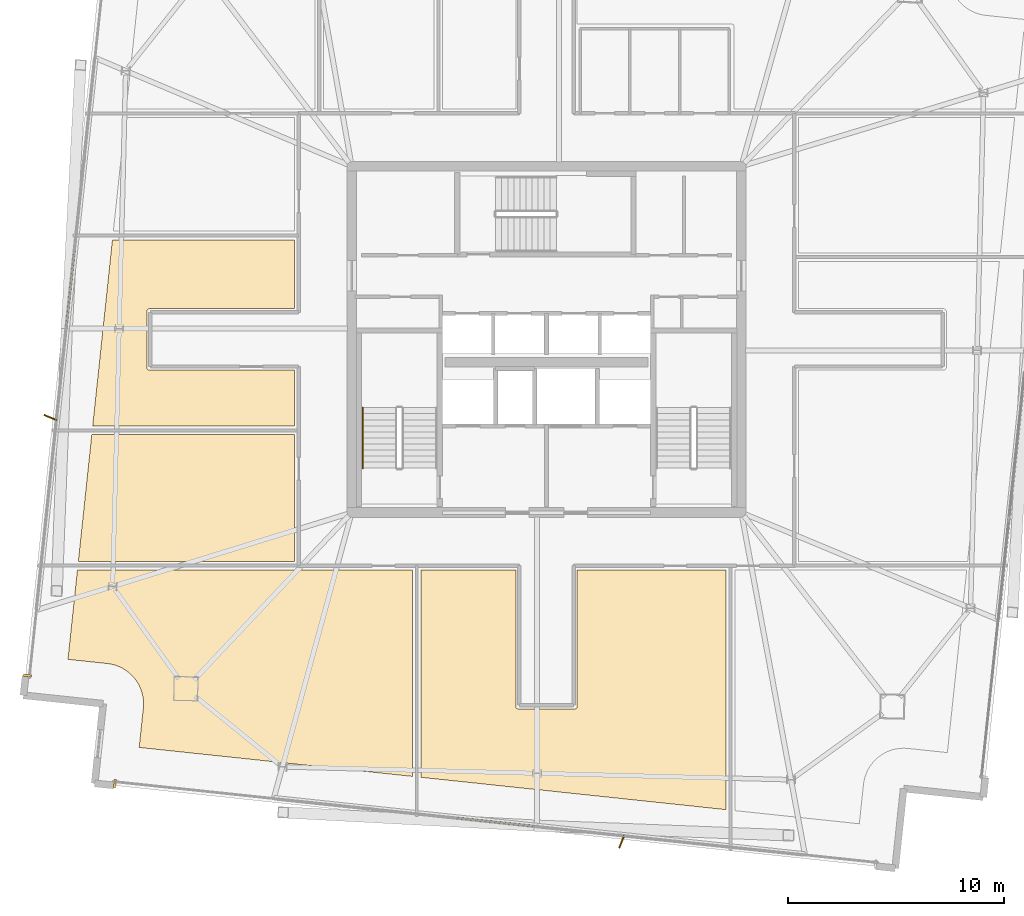
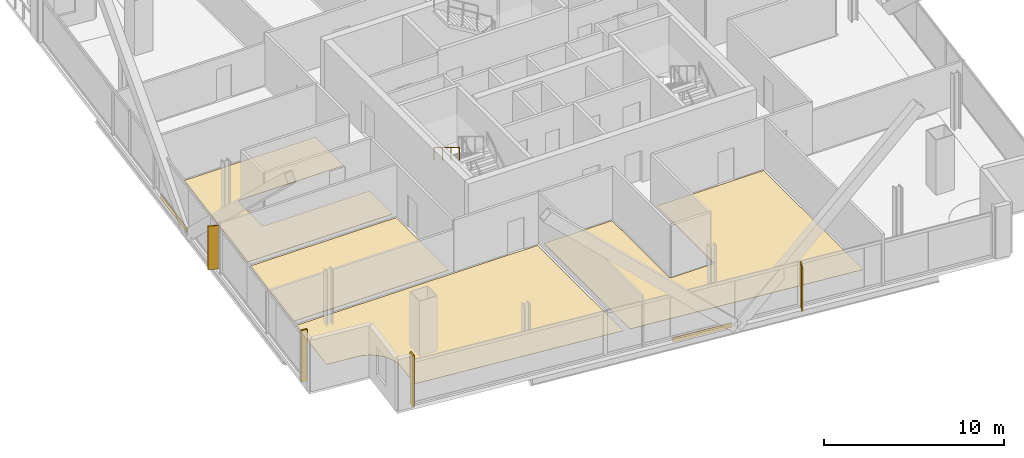
# One storey, part 22 of 24: 8 coverings, 2 shading devices, 1 railing.
"""IFC4 building model written with IfcOpenShell, lengths in metres."""

import ifcopenshell
import ifcopenshell.guid

model = None  # the IFC model being written
_history = None  # IfcOwnerHistory: only IFC2X3 demands one
_inside = {}  # id of a spatial element -> (the spatial element, [elements in it])
_under = {}  # id of a project, library or spatial element -> (it, [spatial elements below it])
_declared = {}  # id of a project -> (the project, [libraries it declares])
_typed = {}  # id of a type object -> (the type object, [elements of that type])
_made_of = {}  # id of a material, layer set ... -> (it, [elements and type objects made of it])


def new_model(schema):
    """Start an empty IFC model of exactly this schema.

    Asked for "IFC4X3", IfcOpenShell would pick the latest addendum, in which some entities
    have other attributes; the version numbers below select the first issue.
    IFC2X3 requires an IfcOwnerHistory on every rooted entity: one is made here for all.
    """
    global model, _history
    if schema == "IFC4X3":
        model = ifcopenshell.file(schema_version=(4, 3, 0, 0))
    else:
        model = ifcopenshell.file(schema=schema)
    _inside.clear()
    _under.clear()
    _declared.clear()
    _typed.clear()
    _made_of.clear()
    _history = None
    if model.schema == "IFC2X3":
        org = make("IfcOrganization", Name="unknown")
        user = make(
            "IfcPersonAndOrganization",
            ThePerson=make("IfcPerson", FamilyName="unknown"),
            TheOrganization=org,
        )
        app = make(
            "IfcApplication",
            ApplicationDeveloper=org,
            Version="unknown",
            ApplicationFullName="unknown",
            ApplicationIdentifier="unknown",
        )
        _history = make(
            "IfcOwnerHistory",
            OwningUser=user,
            OwningApplication=app,
            ChangeAction="ADDED",
            CreationDate=0,
        )
    return model


def make(cls, **values):
    """One entity of the class cls with the attributes given. An attribute that is None is left unset."""
    return model.create_entity(
        cls, **{name: value for name, value in values.items() if value is not None}
    )


def rooted(cls, **values):
    """An entity with a GlobalId (a new one), such as an element, a storey or a relation."""
    return make(cls, GlobalId=ifcopenshell.guid.new(), OwnerHistory=_history, **values)


def si_unit(unit_type, name, prefix=None):
    """IfcSIUnit, for example si_unit("LENGTHUNIT", "METRE", prefix="MILLI")."""
    return make("IfcSIUnit", UnitType=unit_type, Prefix=prefix, Name=name)


def assignment(units):
    """IfcUnitAssignment: the units of a project."""
    return None if units is None else make("IfcUnitAssignment", Units=units)


def point(xyz):
    """IfcCartesianPoint."""
    return None if xyz is None else make("IfcCartesianPoint", Coordinates=xyz)


def direction(xyz):
    """IfcDirection."""
    return None if xyz is None else make("IfcDirection", DirectionRatios=xyz)


def frame(location, z_axis=None, x_axis=None):
    """IfcAxis2Placement3D, a coordinate frame: its origin and axes. An axis left out is left unset."""
    return make(
        "IfcAxis2Placement3D",
        Location=point(location),
        Axis=direction(z_axis),
        RefDirection=direction(x_axis),
    )


def frame_2d(location, x_axis=None):
    """IfcAxis2Placement2D, a coordinate frame in the plane: its origin and x axis."""
    return make(
        "IfcAxis2Placement2D", Location=point(location), RefDirection=direction(x_axis)
    )


def origin():
    """The frame at (0, 0, 0) with its axes left unset."""
    return frame((0.0, 0.0, 0.0))


def origin_2d():
    """The frame at (0, 0) in the plane with its x axis left unset."""
    return frame_2d((0.0, 0.0))


def place(relative_to, where):
    """IfcLocalPlacement: puts the frame where relative to a parent placement (None: the world)."""
    return make(
        "IfcLocalPlacement", PlacementRelTo=relative_to, RelativePlacement=where
    )


def context(
    kind, dimensions, precision=None, world=None, true_north=None, identifier=None
):
    """IfcGeometricRepresentationContext, for example the 3D "Model" context."""
    return make(
        "IfcGeometricRepresentationContext",
        ContextIdentifier=identifier,
        ContextType=kind,
        CoordinateSpaceDimension=dimensions,
        Precision=precision,
        WorldCoordinateSystem=world,
        TrueNorth=true_north,
    )


def subcontext(parent, identifier, kind, view, scale=None):
    """IfcGeometricRepresentationSubContext, for example "Body" below "Model"."""
    return make(
        "IfcGeometricRepresentationSubContext",
        ContextIdentifier=identifier,
        ContextType=kind,
        ParentContext=parent,
        TargetScale=scale,
        TargetView=view,
    )


def project(units=None, contexts=None):
    """IfcProject with its units and contexts."""
    return rooted(
        "IfcProject",
        Name="project",
        RepresentationContexts=contexts,
        UnitsInContext=assignment(units),
    )


def spatial(cls, under=None, at=None, **own):
    """A site, building, storey or space (cls), placed at a placement, below another one or the project."""
    s = rooted(cls, ObjectPlacement=at, **own)
    if under is not None:
        _under.setdefault(under.id(), (under, []))[1].append(s)
    return s


def polyline(points):
    """IfcPolyline through the points."""
    return make("IfcPolyline", Points=[point(p) for p in points])


def profile(cls, at=None, kind="AREA", **sizes):
    """A parametric profile (cls). Its sizes go by their IFC names, for example OverallWidth=200.0."""
    return make(cls, ProfileType=kind, Position=at, **sizes)


def rectangle(**sizes):
    """IfcRectangleProfileDef."""
    return profile("IfcRectangleProfileDef", **sizes)


def outline(outer, holes=None, kind="AREA"):
    """IfcArbitraryClosedProfileDef: a profile drawn as a closed curve; with holes, ...WithVoids."""
    if holes is None:
        return make("IfcArbitraryClosedProfileDef", ProfileType=kind, OuterCurve=outer)
    return make(
        "IfcArbitraryProfileDefWithVoids",
        ProfileType=kind,
        OuterCurve=outer,
        InnerCurves=holes,
    )


def extrude(swept, where, along, depth):
    """IfcExtrudedAreaSolid: the profile swept, set in the frame where, extruded along a direction by depth."""
    return make(
        "IfcExtrudedAreaSolid",
        SweptArea=swept,
        Position=where,
        ExtrudedDirection=direction(along),
        Depth=depth,
    )


def shape(context_of_items, identifier, shape_type, items):
    """IfcShapeRepresentation: the items that make up one representation, for example the "Body"."""
    return make(
        "IfcShapeRepresentation",
        ContextOfItems=context_of_items,
        RepresentationIdentifier=identifier,
        RepresentationType=shape_type,
        Items=items,
    )


def source(mapping_origin, context_of_items, identifier, shape_type, items):
    """IfcRepresentationMap: a shape defined once, which mapped items show again and again."""
    return make(
        "IfcRepresentationMap",
        MappingOrigin=mapping_origin,
        MappedRepresentation=shape(context_of_items, identifier, shape_type, items),
    )


def transform(
    local_origin,
    x_axis=None,
    y_axis=None,
    z_axis=None,
    scale=None,
    scale2=None,
    scale3=None,
    uniform=True,
):
    """IfcCartesianTransformationOperator3D, or its non-uniform kind. x_axis, y_axis, z_axis: its Axis1, 2, 3."""
    if uniform:
        return make(
            "IfcCartesianTransformationOperator3D",
            Axis1=direction(x_axis),
            Axis2=direction(y_axis),
            LocalOrigin=point(local_origin),
            Scale=scale,
            Axis3=direction(z_axis),
        )
    return make(
        "IfcCartesianTransformationOperator3DnonUniform",
        Axis1=direction(x_axis),
        Axis2=direction(y_axis),
        LocalOrigin=point(local_origin),
        Scale=scale,
        Axis3=direction(z_axis),
        Scale2=scale2,
        Scale3=scale3,
    )


def mapped(mapping_source, mapping_target):
    """IfcMappedItem: shows the shape of a source again, moved by a transform."""
    return make(
        "IfcMappedItem", MappingSource=mapping_source, MappingTarget=mapping_target
    )


def material(Name=None, Category=None):
    """IfcMaterial."""
    return make("IfcMaterial", Name=Name, Category=Category)


def layer(
    of_material, thickness, ventilated=None, Name=None, Category=None, Priority=None
):
    """IfcMaterialLayer: one layer of a wall or slab, of a material (None: an air gap)."""
    return make(
        "IfcMaterialLayer",
        Material=of_material,
        LayerThickness=thickness,
        IsVentilated=ventilated,
        Name=Name,
        Category=Category,
        Priority=Priority,
    )


def layer_set(layers, Name=None):
    """IfcMaterialLayerSet."""
    return make("IfcMaterialLayerSet", MaterialLayers=layers, LayerSetName=Name)


def made_of(thing, what):
    """Note that an element or type object is made of a material, layer set ...; save() writes the relation."""
    if what is not None:
        _made_of.setdefault(what.id(), (what, []))[1].append(thing)
    return thing


def type_object(cls, material=None, **own):
    """A type object (cls), such as IfcWallType, which elements share."""
    return made_of(rooted(cls, **own), material)


def element(
    cls,
    number,
    at=None,
    inside=None,
    cuts=None,
    type_object=None,
    material=None,
    context=None,
    identifier="Body",
    shape_type=None,
    held_by="IfcProductDefinitionShape",
    body=None,
    shapes=None,
    **own,
):
    """One element of the class cls, such as IfcWall. Its Tag is "e" and its number.

    at: its placement. inside: the storey or other place that contains it. cuts: it is an
    opening in that element (IfcRelVoidsElement). A single representation is given by context,
    identifier, shape_type and body (its items); several are given by shapes. held_by: the class
    of the entity that holds the representations. save() writes the other relations.
    """
    e = rooted(cls, Tag="e%d" % number, ObjectPlacement=at, **own)
    if body is not None:
        shapes = [shape(context, identifier, shape_type, body)]
    if shapes is not None:
        e.Representation = make(held_by, Representations=shapes)
    if inside is not None:
        _inside.setdefault(inside.id(), (inside, []))[1].append(e)
    if cuts is not None:
        rooted(
            "IfcRelVoidsElement", RelatingBuildingElement=cuts, RelatedOpeningElement=e
        )
    if type_object is not None:
        _typed.setdefault(type_object.id(), (type_object, []))[1].append(e)
    return made_of(e, material)


def aggregate(whole, parts):
    """IfcRelAggregates: a whole, such as a stair, and the parts it consists of."""
    return rooted("IfcRelAggregates", RelatingObject=whole, RelatedObjects=parts)


def save(model, path):
    """Write the relations noted so far, then the file.

    IfcRelAggregates (storeys below a building ...), IfcRelContainedInSpatialStructure (elements
    in a storey), IfcRelDefinesByType, IfcRelAssociatesMaterial and IfcRelDeclares: one each for
    every whole, place, type object, material and project.
    """
    for whole, parts in _under.values():
        aggregate(whole, parts)
    for where, things in _inside.values():
        rooted(
            "IfcRelContainedInSpatialStructure",
            RelatedElements=things,
            RelatingStructure=where,
        )
    for kind, things in _typed.values():
        rooted("IfcRelDefinesByType", RelatedObjects=things, RelatingType=kind)
    for what, things in _made_of.values():
        rooted("IfcRelAssociatesMaterial", RelatedObjects=things, RelatingMaterial=what)
    for by, libraries in _declared.values():
        rooted("IfcRelDeclares", RelatingContext=by, RelatedDefinitions=libraries)
    model.write(path)


model = new_model("IFC4")

# Units and contexts
model_context = context("Model", 3, precision=1e-05, world=origin(), true_north=direction((0.0, 1.0)))
body_context = subcontext(model_context, "Body", "Model", "MODEL_VIEW")
ifc_project = project(units=[si_unit("LENGTHUNIT", "METRE"), si_unit("AREAUNIT", "SQUARE_METRE"), si_unit("VOLUMEUNIT", "CUBIC_METRE"), si_unit("PLANEANGLEUNIT", "RADIAN"), si_unit("MASSUNIT", "GRAM", prefix="KILO")], contexts=[model_context])

# Site, building, storey
site_placement = place(None, origin())
site = spatial("IfcSite", under=ifc_project, at=site_placement, CompositionType="ELEMENT")
building_placement = place(site_placement, origin())
building = spatial("IfcBuilding", under=site, at=building_placement, Name="Haldenkirk Collegiate Tower", CompositionType="ELEMENT")
storey_placement = place(building_placement, frame((0.0, 0.0, 310.199951171875)))
storey = spatial("IfcBuildingStorey", under=building, at=storey_placement, Name="L78", CompositionType="ELEMENT", Elevation=310.199951171875)

# Coverings
ifc_material_1 = material(Name="Polished collegiate terrazzo", Category="concrete")
ifc_layer_1 = layer(ifc_material_1, 0.02490234375)
ifc_layer_set_1 = layer_set([ifc_layer_1], Name="Polished collegiate terrazzo")
covering_type_1 = type_object("IfcCoveringType", Name="COV-FLOOR-TERRAZZO", PredefinedType="FLOORING", material=ifc_layer_set_1)
covering_1_placement = place(storey_placement, origin())
element("IfcCovering", 1, at=covering_1_placement, inside=storey, type_object=covering_type_1, Name="L78 academic room finish 02", PredefinedType="FLOORING", context=body_context, shape_type="SweptSolid", body=[
    extrude(outline(polyline([(30.199951171875, 5.7685546875), (30.199951171875, 15.35009765625), (34.580078125, 15.35009765625), (34.580078125, 9.050048828125), (34.58056640625, 9.0380859375), (34.582275390625, 9.026611328125), (34.585205078125, 9.01513671875), (34.589111328125, 9.004150390625), (34.59423828125, 8.993408203125), (34.60009765625, 8.9833984375), (34.607177734375, 8.973876953125), (34.614990234375, 8.965087890625), (34.623779296875, 8.957275390625), (34.63330078125, 8.9501953125), (34.643310546875, 8.944091796875), (34.654052734375, 8.939208984375), (34.665283203125, 8.935302734375), (34.676513671875, 8.932373046875), (34.688232421875, 8.9306640625), (34.699951171875, 8.929931640625), (37.300048828125, 8.929931640625), (37.311767578125, 8.9306640625), (37.323486328125, 8.932373046875), (37.334716796875, 8.935302734375), (37.345947265625, 8.939208984375), (37.356689453125, 8.944091796875), (37.36669921875, 8.9501953125), (37.376220703125, 8.957275390625), (37.385009765625, 8.965087890625), (37.392822265625, 8.973876953125), (37.39990234375, 8.9833984375), (37.40576171875, 8.993408203125), (37.410888671875, 9.004150390625), (37.414794921875, 9.01513671875), (37.417724609375, 9.026611328125), (37.41943359375, 9.0380859375), (37.419921875, 9.050048828125), (37.419921875, 15.35009765625), (44.300048828125, 15.35009765625), (44.300048828125, 4.274169921875), (30.199951171875, 5.7685546875)])), origin(), (0.0, 0.0, 1.0), 0.025146484375),
])
covering_2_placement = place(storey_placement, origin())
element("IfcCovering", 2, at=covering_2_placement, inside=storey, type_object=covering_type_1, Name="L78 academic room finish 08", PredefinedType="FLOORING", context=body_context, shape_type="SweptSolid", body=[
    extrude(outline(polyline([(17.64990234375, 27.419921875), (17.63818359375, 27.41943359375), (17.626708984375, 27.417724609375), (17.615234375, 27.414794921875), (17.60400390625, 27.410888671875), (17.593505859375, 27.40576171875), (17.583251953125, 27.39990234375), (17.573974609375, 27.392822265625), (17.565185546875, 27.385009765625), (17.55712890625, 27.376220703125), (17.55029296875, 27.36669921875), (17.544189453125, 27.356689453125), (17.5390625, 27.345947265625), (17.53515625, 27.334716796875), (17.5322265625, 27.323486328125), (17.530517578125, 27.311767578125), (17.530029296875, 27.300048828125), (17.530029296875, 24.699951171875), (17.530517578125, 24.688232421875), (17.5322265625, 24.676513671875), (17.53515625, 24.665283203125), (17.5390625, 24.654052734375), (17.544189453125, 24.643310546875), (17.55029296875, 24.63330078125), (17.55712890625, 24.623779296875), (17.565185546875, 24.614990234375), (17.573974609375, 24.607177734375), (17.583251953125, 24.60009765625), (17.593505859375, 24.59423828125), (17.60400390625, 24.589111328125), (17.615234375, 24.585205078125), (17.626708984375, 24.582275390625), (17.63818359375, 24.58056640625), (17.64990234375, 24.580078125), (24.35009765625, 24.580078125), (24.35009765625, 22.0), (15.031494140625, 22.0), (15.943115234375, 30.60009765625), (24.35009765625, 30.60009765625), (24.35009765625, 27.419921875), (17.64990234375, 27.419921875)])), origin(), (0.0, 0.0, 1.0), 0.025146484375),
])
ifc_material_2 = material(Name="Engineered collegiate oak acoustic flooring", Category="wood")
ifc_layer_2 = layer(ifc_material_2, 0.02197265625)
ifc_layer_set_2 = layer_set([ifc_layer_2], Name="Engineered collegiate oak acoustic flooring")
covering_type_2 = type_object("IfcCoveringType", Name="COV-FLOOR-TIMBER", PredefinedType="FLOORING", material=ifc_layer_set_2)
covering_3_placement = place(storey_placement, origin())
element("IfcCovering", 3, at=covering_3_placement, inside=storey, type_object=covering_type_2, Name="L78 academic room finish 01", PredefinedType="FLOORING", context=body_context, shape_type="SweptSolid", body=[
    extrude(outline(polyline([(17.17822265625, 7.148681640625), (17.37109375, 8.968505859375), (17.37158203125, 8.974365234375), (17.38134765625, 9.145751953125), (17.381591796875, 9.15771484375), (17.374267578125, 9.3291015625), (17.373291015625, 9.3408203125), (17.349365234375, 9.510986328125), (17.34716796875, 9.522705078125), (17.306640625, 9.689453125), (17.30322265625, 9.70068359375), (17.24658203125, 9.86279296875), (17.2421875, 9.873779296875), (17.169921875, 10.029541015625), (17.164306640625, 10.0400390625), (17.077392578125, 10.18798828125), (17.07080078125, 10.19775390625), (16.969482421875, 10.33642578125), (16.962158203125, 10.345703125), (16.84765625, 10.4736328125), (16.839599609375, 10.482177734375), (16.713134765625, 10.598388671875), (16.7041015625, 10.60595703125), (16.56689453125, 10.709228515625), (16.55712890625, 10.7158203125), (16.410400390625, 10.805419921875), (16.400146484375, 10.810791015625), (16.245361328125, 10.885498046875), (16.234619140625, 10.89013671875), (16.0732421875, 10.94921875), (16.06201171875, 10.95263671875), (15.895751953125, 10.99560546875), (15.88427734375, 10.998046875), (15.714599609375, 11.0244140625), (15.708740234375, 11.025146484375), (13.888916015625, 11.218017578125), (14.326904296875, 15.35009765625), (29.800048828125, 15.35009765625), (29.800048828125, 5.81103515625), (17.17822265625, 7.148681640625)])), origin(), (0.0, 0.0, 1.0), 0.02197265625),
])
covering_4_placement = place(storey_placement, origin())
element("IfcCovering", 4, at=covering_4_placement, inside=storey, type_object=covering_type_2, Name="L78 academic room finish 07", PredefinedType="FLOORING", context=body_context, shape_type="SweptSolid", body=[
    extrude(outline(polyline([(14.9892578125, 21.60009765625), (24.35009765625, 21.60009765625), (24.35009765625, 15.75), (14.369140625, 15.75), (14.9892578125, 21.60009765625)])), origin(), (0.0, 0.0, 1.0), 0.02197265625),
])

# Railing
ifc_material_3 = material(Name="Painted architectural tubular steel", Category="steel")
railing_type = type_object("IfcRailingType", Name="RLG-STAIR-HANDRAIL-900", PredefinedType="HANDRAIL", material=ifc_material_3)
railing_placement = place(storey_placement, frame((27.5, 22.85009765625, 2.04541015625)))
element("IfcRailing", 5, at=railing_placement, inside=storey, type_object=railing_type, Name="L78 ST-1 stair handrail 2", PredefinedType="HANDRAIL", context=body_context, shape_type="SweptSolid", body=[
    extrude(rectangle(XDim=0.048095703125, YDim=0.048095703125, at=origin_2d()), frame((0.0, 0.0, 0.8759765625), z_axis=(0.0, -0.854169791009, 0.51999420009), x_axis=(1.0, 0.0, 0.0)), (0.0, 0.0, 1.0), 3.278076171875),
    extrude(rectangle(XDim=0.0419921875, YDim=0.0419921875, at=origin_2d()), origin(), (0.0, 0.0, 1.0), 0.851806640625),
    extrude(rectangle(XDim=0.0419921875, YDim=0.0419921875, at=origin_2d()), frame((0.0, -0.933349609375, 0.568115234375)), (0.0, 0.0, 1.0), 0.851806640625),
    extrude(rectangle(XDim=0.0419921875, YDim=0.0419921875, at=origin_2d()), frame((0.0, -1.86669921875, 1.136474609375)), (0.0, 0.0, 1.0), 0.851806640625),
    extrude(rectangle(XDim=0.0419921875, YDim=0.0419921875, at=origin_2d()), frame((0.0, -2.800048828125, 1.70458984375)), (0.0, 0.0, 1.0), 0.851806640625),
])

# Coverings
ifc_material_4 = material(Name="Anodised architectural bronze aluminium", Category="aluminium")
ifc_layer_3 = layer(ifc_material_4, 0.06005859375)
ifc_layer_set_3 = layer_set([ifc_layer_3], Name="Anodised architectural bronze aluminium")
covering_type_3 = type_object("IfcCoveringType", Name="COV-CLAD-BRONZE-60", PredefinedType="CLADDING", material=ifc_layer_set_3)
shared_shape_1 = source(origin(), body_context, "Body", "SweptSolid", [
    extrude(rectangle(XDim=3.60009765625, YDim=0.06005859375, at=origin_2d()), origin(), (0.0, 0.0, 1.0), 0.300048828125),
])
for number, where, z_axis, x_axis, name in (
    (6, (14.003173828125, 28.331298828125, -0.2998046875), (0.0, 0.0, 1.0), (0.105396307434, 0.994430298402, 0.0), "L78 architectural bronze spandrel cladding N"),
    (7, (33.636962890625, 3.704833984375, -0.2998046875), (0.0, 0.0, 1.0), (-0.994430298402, 0.105396307434, 0.0), "L78 architectural bronze spandrel cladding W"),
):
    element("IfcCovering", number, at=place(storey_placement, frame(where, z_axis=z_axis, x_axis=x_axis)), inside=storey, type_object=covering_type_3, Name=name, PredefinedType="CLADDING", context=body_context, shape_type="MappedRepresentation", body=[
        mapped(shared_shape_1, transform((0.0, 0.0, 0.0), x_axis=(1.0, 0.0, 0.0), y_axis=(0.0, 1.0, 0.0), z_axis=(0.0, 0.0, 1.0), scale=1.0)),
    ])
shared_shape_2 = source(origin(), body_context, "Body", "SweptSolid", [
    extrude(rectangle(XDim=0.10009765625, YDim=0.3798828125, at=origin_2d()), origin(), (0.0, 0.0, 1.0), 3.489990234375),
])
for number, where, z_axis, x_axis, name in (
    (8, (12.019775390625, 10.470947265625, 0.0), (0.0, 0.0, 1.0), (0.105396307434, 0.994430298402, 0.0), "L78 recessed curtain-wall bronze jamb closure NJL"),
    (9, (16.055908203125, 5.4775390625, 0.0), (0.0, 0.0, 1.0), (-0.994430298402, 0.105396307434, 0.0), "L78 recessed curtain-wall bronze jamb closure WJR"),
):
    element("IfcCovering", number, at=place(storey_placement, frame(where, z_axis=z_axis, x_axis=x_axis)), inside=storey, type_object=covering_type_3, Name=name, PredefinedType="CLADDING", context=body_context, shape_type="MappedRepresentation", body=[
        mapped(shared_shape_2, transform((0.0, 0.0, 0.0), x_axis=(1.0, 0.0, 0.0), y_axis=(0.0, 1.0, 0.0), z_axis=(0.0, 0.0, 1.0), scale=1.0)),
    ])

# Shading devices
ifc_layer_4 = layer(ifc_material_4, 0.06494140625)
ifc_layer_set_4 = layer_set([ifc_layer_4], Name="Anodised architectural bronze aluminium")
shading_device_type = type_object("IfcShadingDeviceType", Name="SHD-FIN-BRONZE-620", PredefinedType="USERDEFINED", material=ifc_layer_set_4)
shared_shape_3 = source(origin(), body_context, "Body", "SweptSolid", [
    extrude(rectangle(XDim=0.6201171875, YDim=0.06494140625, at=origin_2d()), origin(), (0.0, 0.0, 1.0), 2.947998046875),
])
for number, where, z_axis, x_axis, name in (
    (10, (13.077392578125, 22.39599609375, 0.0), (0.0, 0.0, 1.0), (-0.92685659564, 0.375415571225, 0.0), "L78 folded bronze solar fin 1"),
    (11, (39.472900390625, 2.789794921875, 0.0), (0.0, 0.0, 1.0), (-0.375415571225, -0.92685659564, 0.0), "L78 folded bronze solar fin 1"),
):
    element("IfcShadingDevice", number, at=place(storey_placement, frame(where, z_axis=z_axis, x_axis=x_axis)), inside=storey, type_object=shading_device_type, Name=name, ObjectType="FIN", PredefinedType="USERDEFINED", context=body_context, shape_type="MappedRepresentation", body=[
        mapped(shared_shape_3, transform((0.0, 0.0, 0.0), x_axis=(1.0, 0.0, 0.0), y_axis=(0.0, 1.0, 0.0), z_axis=(0.0, 0.0, 1.0), scale=1.0)),
    ])

save(model, "model.ifc")
